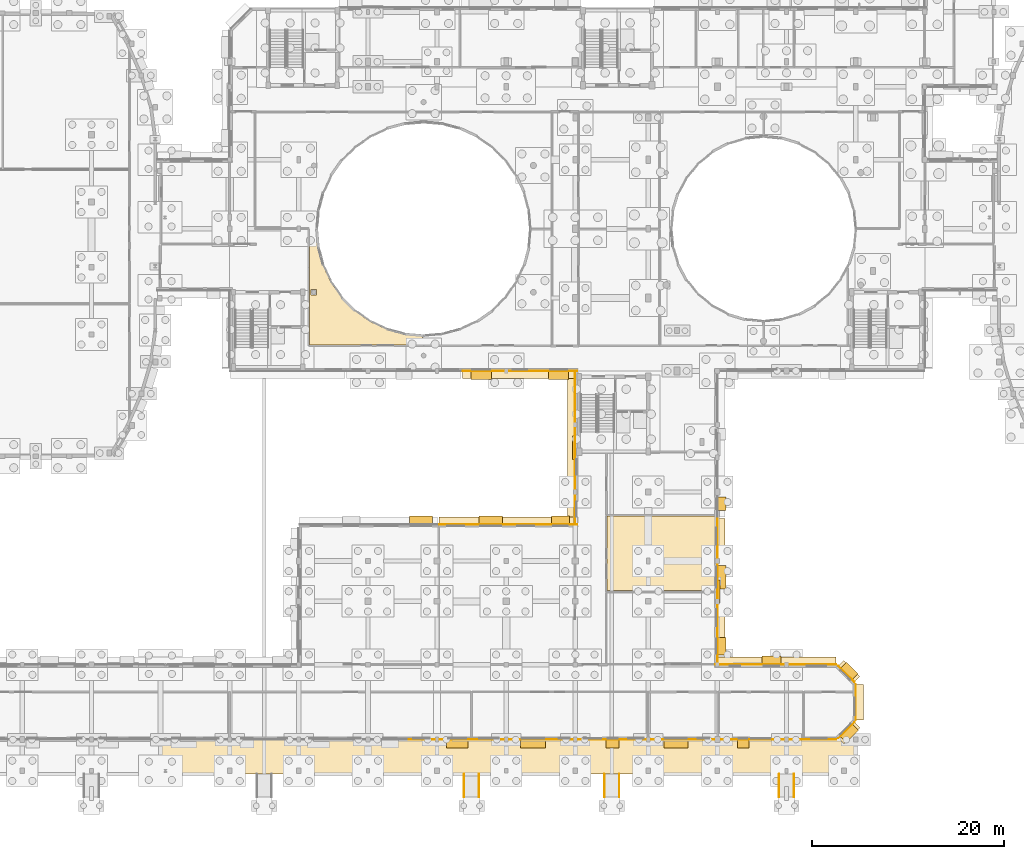
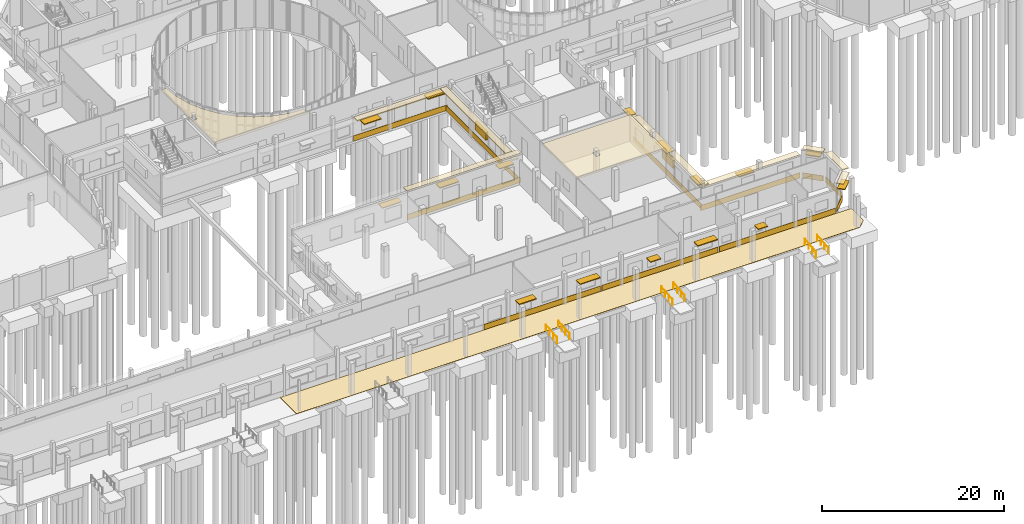
# One storey, part 82 of 93: 22 coverings, 18 shading devices, 6 railings.
"""IFC4 building model written with IfcOpenShell, lengths in metres."""

from ifc_helpers import new_model, si_unit, direction, frame, origin, origin_2d, place, context, subcontext, project, spatial, polyline, rectangle, circle, outline, extrude, material, layer, layer_set, type_object, element, save


model = new_model("IFC4")

# Units and contexts
model_context = context("Model", 3, precision=1e-05, world=origin(), true_north=direction((0.0, 1.0)))
body_context = subcontext(model_context, "Body", "Model", "MODEL_VIEW")
ifc_project = project(units=[si_unit("LENGTHUNIT", "METRE"), si_unit("AREAUNIT", "SQUARE_METRE"), si_unit("VOLUMEUNIT", "CUBIC_METRE"), si_unit("PLANEANGLEUNIT", "RADIAN"), si_unit("MASSUNIT", "GRAM", prefix="KILO")], contexts=[model_context])

# Site, building, storey
site_placement = place(None, origin())
site = spatial("IfcSite", under=ifc_project, at=site_placement, CompositionType="ELEMENT")
building_placement = place(site_placement, origin())
building = spatial("IfcBuilding", under=site, at=building_placement, Name="Kelanivale Promenade Academy", CompositionType="ELEMENT")
storey_placement = place(building_placement, origin())
storey = spatial("IfcBuildingStorey", under=building, at=storey_placement, Name="L00", CompositionType="ELEMENT", Elevation=0.0)

# Coverings
ifc_material_1 = material(Name="Warm ivory Art Deco stucco frieze band 40 mm", Category="masonry")
ifc_layer_1 = layer(ifc_material_1, 0.0400390625)
ifc_layer_set_1 = layer_set([ifc_layer_1], Name="Warm ivory Art Deco stucco frieze band 40 mm")
covering_type_1 = type_object("IfcCoveringType", Name="COV-CLD2 Warm ivory Art Deco stucco frieze ba", PredefinedType="CLADDING", material=ifc_layer_set_1)
covering_1_placement = place(storey_placement, frame((107.7060546875, 4.2939453125, 3.81982421875), z_axis=(0.0, 0.0, 1.0), x_axis=(0.707106781187, 0.707106781187, 0.0)))
element("IfcCovering", 1, at=covering_1_placement, inside=storey, type_object=covering_type_1, Name="Art Deco projecting 820 mm streamline sunshade eyebrow ledge", PredefinedType="CLADDING", context=body_context, shape_type="SweptSolid", body=[
    extrude(rectangle(XDim=2.363037109375, YDim=0.820068359375, at=origin_2d()), origin(), (0.0, 0.0, 1.0), 0.139892578125),
])
covering_2_placement = place(storey_placement, frame((107.43408203125, 4.56591796875, 0.06005859375), z_axis=(0.0, 0.0, 1.0), x_axis=(0.707106781187, 0.707106781187, 0.0)))
element("IfcCovering", 2, at=covering_2_placement, inside=storey, type_object=covering_type_1, Name="Art Deco ivory stucco sill frieze band", PredefinedType="CLADDING", context=body_context, shape_type="SweptSolid", body=[
    extrude(rectangle(XDim=2.363037109375, YDim=0.0400390625, at=origin_2d()), origin(), (0.0, 0.0, 1.0), 0.719970703125),
])
covering_3_placement = place(storey_placement, frame((108.800048828125, 7.5, 3.81982421875), z_axis=(0.0, 0.0, 1.0), x_axis=(0.0, 1.0, 0.0)))
element("IfcCovering", 3, at=covering_3_placement, inside=storey, type_object=covering_type_1, Name="Art Deco projecting 820 mm streamline sunshade eyebrow ledge", PredefinedType="CLADDING", context=body_context, shape_type="SweptSolid", body=[
    extrude(rectangle(XDim=3.72802734375, YDim=0.820068359375, at=origin_2d()), origin(), (0.0, 0.0, 1.0), 0.139892578125),
])
covering_4_placement = place(storey_placement, frame((108.4150390625, 7.5, 0.06005859375), z_axis=(0.0, 0.0, 1.0), x_axis=(0.0, 1.0, 0.0)))
element("IfcCovering", 4, at=covering_4_placement, inside=storey, type_object=covering_type_1, Name="Art Deco ivory stucco sill frieze band", PredefinedType="CLADDING", context=body_context, shape_type="SweptSolid", body=[
    extrude(rectangle(XDim=3.72802734375, YDim=0.0400390625, at=origin_2d()), origin(), (0.0, 0.0, 1.0), 0.719970703125),
])
covering_5_placement = place(storey_placement, frame((107.7060546875, 10.7060546875, 3.81982421875), z_axis=(0.0, 0.0, 1.0), x_axis=(-0.707106781187, 0.707106781187, 0.0)))
element("IfcCovering", 5, at=covering_5_placement, inside=storey, type_object=covering_type_1, Name="Art Deco projecting 820 mm streamline sunshade eyebrow ledge", PredefinedType="CLADDING", context=body_context, shape_type="SweptSolid", body=[
    extrude(rectangle(XDim=2.363037109375, YDim=0.820068359375, at=origin_2d()), origin(), (0.0, 0.0, 1.0), 0.139892578125),
])
covering_6_placement = place(storey_placement, frame((107.43408203125, 10.43408203125, 0.06005859375), z_axis=(0.0, 0.0, 1.0), x_axis=(-0.707106781187, 0.707106781187, 0.0)))
element("IfcCovering", 6, at=covering_6_placement, inside=storey, type_object=covering_type_1, Name="Art Deco ivory stucco sill frieze band", PredefinedType="CLADDING", context=body_context, shape_type="SweptSolid", body=[
    extrude(rectangle(XDim=2.363037109375, YDim=0.0400390625, at=origin_2d()), origin(), (0.0, 0.0, 1.0), 0.719970703125),
])
covering_7_placement = place(storey_placement, frame((100.08203125, 11.800048828125, 3.044921875), z_axis=(0.0, 0.0, 1.0), x_axis=(-1.0, 0.0, 0.0)))
element("IfcCovering", 7, at=covering_7_placement, inside=storey, type_object=covering_type_1, Name="Art Deco projecting 820 mm streamline sunshade eyebrow ledge", PredefinedType="CLADDING", context=body_context, shape_type="SweptSolid", body=[
    extrude(rectangle(XDim=12.56396484375, YDim=0.820068359375, at=origin_2d()), origin(), (0.0, 0.0, 1.0), 0.139892578125),
])
covering_8_placement = place(storey_placement, frame((100.08203125, 11.4150390625, 0.06005859375), z_axis=(0.0, 0.0, 1.0), x_axis=(-1.0, 0.0, 0.0)))
element("IfcCovering", 8, at=covering_8_placement, inside=storey, type_object=covering_type_1, Name="Art Deco ivory stucco sill frieze band", PredefinedType="CLADDING", context=body_context, shape_type="SweptSolid", body=[
    extrude(rectangle(XDim=12.56396484375, YDim=0.0400390625, at=origin_2d()), origin(), (0.0, 0.0, 1.0), 0.719970703125),
])
covering_9_placement = place(storey_placement, frame((94.39990234375, 19.050048828125, 3.21484375), z_axis=(0.0, 0.0, 1.0), x_axis=(0.0, 1.0, 0.0)))
element("IfcCovering", 9, at=covering_9_placement, inside=storey, type_object=covering_type_1, Name="Art Deco projecting 820 mm streamline sunshade eyebrow ledge", PredefinedType="CLADDING", context=body_context, shape_type="SweptSolid", body=[
    extrude(rectangle(XDim=15.139892578125, YDim=0.820068359375, at=origin_2d()), origin(), (0.0, 0.0, 1.0), 0.139892578125),
])
covering_10_placement = place(storey_placement, frame((94.014892578125, 19.050048828125, 0.06005859375), z_axis=(0.0, 0.0, 1.0), x_axis=(0.0, 1.0, 0.0)))
element("IfcCovering", 10, at=covering_10_placement, inside=storey, type_object=covering_type_1, Name="Art Deco ivory stucco sill frieze band", PredefinedType="CLADDING", context=body_context, shape_type="SweptSolid", body=[
    extrude(rectangle(XDim=15.139892578125, YDim=0.0400390625, at=origin_2d()), origin(), (0.0, 0.0, 1.0), 0.719970703125),
])
covering_11_placement = place(storey_placement, frame((73.43408203125, 41.60009765625, 3.1650390625), z_axis=(0.0, 0.0, 1.0), x_axis=(1.0, 0.0, 0.0)))
element("IfcCovering", 11, at=covering_11_placement, inside=storey, type_object=covering_type_1, Name="Art Deco projecting 820 mm streamline sunshade eyebrow ledge", PredefinedType="CLADDING", context=body_context, shape_type="SweptSolid", body=[
    extrude(rectangle(XDim=11.93310546875, YDim=0.820068359375, at=origin_2d()), origin(), (0.0, 0.0, 1.0), 0.139892578125),
])
covering_12_placement = place(storey_placement, frame((73.43408203125, 41.985107421875, 0.06005859375), z_axis=(0.0, 0.0, 1.0), x_axis=(1.0, 0.0, 0.0)))
element("IfcCovering", 12, at=covering_12_placement, inside=storey, type_object=covering_type_1, Name="Art Deco ivory stucco sill frieze band", PredefinedType="CLADDING", context=body_context, shape_type="SweptSolid", body=[
    extrude(rectangle(XDim=11.93310546875, YDim=0.0400390625, at=origin_2d()), origin(), (0.0, 0.0, 1.0), 0.719970703125),
])
covering_13_placement = place(storey_placement, frame((78.800048828125, 34.0, 3.21484375), z_axis=(0.0, 0.0, 1.0), x_axis=(0.0, -1.0, 0.0)))
element("IfcCovering", 13, at=covering_13_placement, inside=storey, type_object=covering_type_1, Name="Art Deco projecting 820 mm streamline sunshade eyebrow ledge", PredefinedType="CLADDING", context=body_context, shape_type="SweptSolid", body=[
    extrude(rectangle(XDim=15.840087890625, YDim=0.820068359375, at=origin_2d()), origin(), (0.0, 0.0, 1.0), 0.139892578125),
])
covering_14_placement = place(storey_placement, frame((79.18505859375, 34.0, 0.06005859375), z_axis=(0.0, 0.0, 1.0), x_axis=(0.0, -1.0, 0.0)))
element("IfcCovering", 14, at=covering_14_placement, inside=storey, type_object=covering_type_1, Name="Art Deco ivory stucco sill frieze band", PredefinedType="CLADDING", context=body_context, shape_type="SweptSolid", body=[
    extrude(rectangle(XDim=15.840087890625, YDim=0.0400390625, at=origin_2d()), origin(), (0.0, 0.0, 1.0), 0.719970703125),
])
covering_15_placement = place(storey_placement, frame((72.2099609375, 26.39990234375, 3.81982421875), z_axis=(0.0, 0.0, 1.0), x_axis=(-1.0, 0.0, 0.0)))
element("IfcCovering", 15, at=covering_15_placement, inside=storey, type_object=covering_type_1, Name="Art Deco projecting 820 mm streamline sunshade eyebrow ledge", PredefinedType="CLADDING", context=body_context, shape_type="SweptSolid", body=[
    extrude(rectangle(XDim=14.3798828125, YDim=0.820068359375, at=origin_2d()), origin(), (0.0, 0.0, 1.0), 0.139892578125),
])
covering_16_placement = place(storey_placement, frame((72.2099609375, 26.014892578125, 0.06005859375), z_axis=(0.0, 0.0, 1.0), x_axis=(-1.0, 0.0, 0.0)))
element("IfcCovering", 16, at=covering_16_placement, inside=storey, type_object=covering_type_1, Name="Art Deco ivory stucco sill frieze band", PredefinedType="CLADDING", context=body_context, shape_type="SweptSolid", body=[
    extrude(rectangle(XDim=14.3798828125, YDim=0.0400390625, at=origin_2d()), origin(), (0.0, 0.0, 1.0), 0.719970703125),
])
for number, where, z_axis, x_axis, name in (
    (17, (69.20703125, 3.594970703125, 0.06005859375), (0.0, 0.0, 1.0), (1.0, 0.0, 0.0), "Art Deco ivory stucco sill frieze band"),
    (18, (84.10009765625, 3.594970703125, 0.06005859375), (0.0, 0.0, 1.0), (1.0, 0.0, 0.0), "Art Deco ivory stucco sill frieze band"),
    (19, (98.992919921875, 3.594970703125, 0.06005859375), (0.0, 0.0, 1.0), (1.0, 0.0, 0.0), "Art Deco ivory stucco sill frieze band"),
):
    element("IfcCovering", number, at=place(storey_placement, frame(where, z_axis=z_axis, x_axis=x_axis)), inside=storey, type_object=covering_type_1, Name=name, PredefinedType="CLADDING", context=body_context, shape_type="SweptSolid", body=[
        extrude(rectangle(XDim=14.73291015625, YDim=0.0400390625, at=origin_2d()), origin(), (0.0, 0.0, 1.0), 0.719970703125),
    ])
ifc_material_2 = material(Name="Acoustic mineral-fibre ceiling tile 25 mm", Category="gypsum")
ifc_layer_2 = layer(ifc_material_2, 0.02490234375)
ifc_layer_set_2 = layer_set([ifc_layer_2], Name="Acoustic mineral-fibre ceiling tile 25 mm")
covering_type_2 = type_object("IfcCoveringType", Name="COV-CLG1 Acoustic mineral-fibre ceiling tile ", PredefinedType="CEILING", material=ifc_layer_set_2)
covering_17_placement = place(storey_placement, frame((0.0, 0.0, 3.550048828125)))
element("IfcCovering", 20, at=covering_17_placement, inside=storey, type_object=covering_type_2, Name="Bursar Administration Office acoustic suspended ceiling", PredefinedType="CEILING", context=body_context, shape_type="SweptSolid", body=[
    extrude(outline(polyline([(93.85009765625, 19.110107421875), (93.85009765625, 21.864990234375), (93.7548828125, 21.864990234375), (93.7509765625, 21.864990234375), (93.7470703125, 21.865966796875), (93.742919921875, 21.866943359375), (93.739990234375, 21.867919921875), (93.736083984375, 21.8701171875), (93.73291015625, 21.8720703125), (93.72998046875, 21.8740234375), (93.72705078125, 21.876953125), (93.72412109375, 21.8798828125), (93.721923828125, 21.883056640625), (93.719970703125, 21.885986328125), (93.718017578125, 21.889892578125), (93.717041015625, 21.89306640625), (93.716064453125, 21.89697265625), (93.715087890625, 21.90087890625), (93.715087890625, 21.905029296875), (93.715087890625, 22.4951171875), (93.715087890625, 22.4990234375), (93.716064453125, 22.5029296875), (93.717041015625, 22.507080078125), (93.718017578125, 22.510009765625), (93.719970703125, 22.513916015625), (93.721923828125, 22.51708984375), (93.72412109375, 22.52001953125), (93.72705078125, 22.52294921875), (93.72998046875, 22.52587890625), (93.73291015625, 22.528076171875), (93.736083984375, 22.530029296875), (93.739990234375, 22.531982421875), (93.742919921875, 22.532958984375), (93.7470703125, 22.533935546875), (93.7509765625, 22.534912109375), (93.7548828125, 22.534912109375), (93.85009765625, 22.534912109375), (93.85009765625, 26.889892578125), (82.510009765625, 26.889892578125), (82.510009765625, 19.110107421875), (93.85009765625, 19.110107421875)]), holes=[polyline([(86.580078125, 21.81494140625), (86.575927734375, 21.81494140625), (86.572021484375, 21.81591796875), (86.568115234375, 21.81689453125), (86.56494140625, 21.818115234375), (86.56103515625, 21.820068359375), (86.55810546875, 21.822021484375), (86.554931640625, 21.823974609375), (86.552001953125, 21.826904296875), (86.549072265625, 21.830078125), (86.547119140625, 21.8330078125), (86.544921875, 21.8359375), (86.54296875, 21.840087890625), (86.5419921875, 21.843017578125), (86.541015625, 21.846923828125), (86.5400390625, 21.85107421875), (86.5400390625, 21.85498046875), (86.5400390625, 22.544921875), (86.5400390625, 22.549072265625), (86.541015625, 22.552978515625), (86.5419921875, 22.556884765625), (86.54296875, 22.56005859375), (86.544921875, 22.56396484375), (86.547119140625, 22.56689453125), (86.549072265625, 22.570068359375), (86.552001953125, 22.572998046875), (86.554931640625, 22.575927734375), (86.55810546875, 22.577880859375), (86.56103515625, 22.580078125), (86.56494140625, 22.58203125), (86.568115234375, 22.5830078125), (86.572021484375, 22.583984375), (86.575927734375, 22.5849609375), (86.580078125, 22.5849609375), (87.02001953125, 22.5849609375), (87.02392578125, 22.5849609375), (87.028076171875, 22.583984375), (87.031982421875, 22.5830078125), (87.034912109375, 22.58203125), (87.0390625, 22.580078125), (87.0419921875, 22.577880859375), (87.044921875, 22.575927734375), (87.048095703125, 22.572998046875), (87.051025390625, 22.570068359375), (87.052978515625, 22.56689453125), (87.054931640625, 22.56396484375), (87.056884765625, 22.56005859375), (87.05810546875, 22.556884765625), (87.05908203125, 22.552978515625), (87.06005859375, 22.549072265625), (87.06005859375, 22.544921875), (87.06005859375, 21.85498046875), (87.06005859375, 21.85107421875), (87.05908203125, 21.846923828125), (87.05810546875, 21.843017578125), (87.056884765625, 21.840087890625), (87.054931640625, 21.8359375), (87.052978515625, 21.8330078125), (87.051025390625, 21.830078125), (87.048095703125, 21.826904296875), (87.044921875, 21.823974609375), (87.0419921875, 21.822021484375), (87.0390625, 21.820068359375), (87.034912109375, 21.818115234375), (87.031982421875, 21.81689453125), (87.028076171875, 21.81591796875), (87.02392578125, 21.81494140625), (87.02001953125, 21.81494140625), (86.580078125, 21.81494140625)])]), origin(), (0.0, 0.0, 1.0), 0.02490234375),
])
covering_18_placement = place(storey_placement, frame((0.0, 0.0, 3.550048828125)))
element("IfcCovering", 21, at=covering_18_placement, inside=storey, type_object=covering_type_2, Name="Junior Classroom West A acoustic suspended ceiling", PredefinedType="CEILING", context=body_context, shape_type="SweptSolid", body=[
    extrude(outline(polyline([(63.2900390625, 45.658935546875), (61.48095703125, 45.81689453125), (61.47998046875, 45.81689453125), (61.469970703125, 45.818115234375), (61.4619140625, 45.820068359375), (61.455078125, 45.821044921875), (61.446044921875, 45.823974609375), (59.60302734375, 46.31689453125), (59.60107421875, 46.31689453125), (59.591064453125, 46.320068359375), (59.583984375, 46.322998046875), (59.573974609375, 46.326904296875), (59.570068359375, 46.3291015625), (57.840087890625, 47.136962890625), (57.8349609375, 47.138916015625), (57.825927734375, 47.14404296875), (57.81689453125, 47.14892578125), (57.81005859375, 47.153076171875), (56.24609375, 48.248046875), (56.239013671875, 48.25390625), (56.23095703125, 48.260986328125), (56.222900390625, 48.26806640625), (56.218994140625, 48.27099609375), (54.87109375, 49.618896484375), (54.867919921875, 49.623046875), (54.861083984375, 49.631103515625), (54.85400390625, 49.638916015625), (54.847900390625, 49.64599609375), (53.7529296875, 51.2099609375), (53.7490234375, 51.217041015625), (53.739013671875, 51.235107421875), (53.737060546875, 51.239990234375), (52.928955078125, 52.969970703125), (52.927001953125, 52.97412109375), (52.923095703125, 52.98388671875), (52.919921875, 52.990966796875), (52.9169921875, 53.0009765625), (52.9169921875, 53.0029296875), (52.424072265625, 54.845947265625), (52.4208984375, 54.85498046875), (52.419921875, 54.862060546875), (52.41796875, 54.8701171875), (52.4169921875, 54.8798828125), (52.4169921875, 54.881103515625), (52.259033203125, 56.68994140625), (51.510009765625, 56.68994140625), (51.510009765625, 44.7099609375), (63.2900390625, 44.7099609375), (63.2900390625, 45.658935546875)]), holes=[polyline([(51.722900390625, 49.9150390625), (51.718994140625, 49.9150390625), (51.715087890625, 49.916015625), (51.7109375, 49.9169921875), (51.7080078125, 49.91796875), (51.7041015625, 49.919921875), (51.700927734375, 49.922119140625), (51.697998046875, 49.924072265625), (51.695068359375, 49.927001953125), (51.69189453125, 49.929931640625), (51.68994140625, 49.93310546875), (51.68798828125, 49.93603515625), (51.68603515625, 49.93994140625), (51.68505859375, 49.943115234375), (51.68408203125, 49.947021484375), (51.68310546875, 49.950927734375), (51.68310546875, 49.955078125), (51.68310546875, 50.445068359375), (51.68310546875, 50.448974609375), (51.68408203125, 50.452880859375), (51.68505859375, 50.45703125), (51.68603515625, 50.4599609375), (51.68798828125, 50.464111328125), (51.68994140625, 50.467041015625), (51.69189453125, 50.469970703125), (51.695068359375, 50.472900390625), (51.697998046875, 50.47607421875), (51.700927734375, 50.47802734375), (51.7041015625, 50.47998046875), (51.7080078125, 50.48193359375), (51.7109375, 50.48291015625), (51.715087890625, 50.48388671875), (51.718994140625, 50.485107421875), (51.722900390625, 50.485107421875), (52.212890625, 50.485107421875), (52.217041015625, 50.485107421875), (52.220947265625, 50.48388671875), (52.22509765625, 50.48291015625), (52.22802734375, 50.48193359375), (52.23193359375, 50.47998046875), (52.235107421875, 50.47802734375), (52.238037109375, 50.47607421875), (52.240966796875, 50.472900390625), (52.243896484375, 50.469970703125), (52.24609375, 50.467041015625), (52.248046875, 50.464111328125), (52.25, 50.4599609375), (52.2509765625, 50.45703125), (52.251953125, 50.452880859375), (52.2529296875, 50.448974609375), (52.2529296875, 50.445068359375), (52.2529296875, 49.955078125), (52.2529296875, 49.950927734375), (52.251953125, 49.947021484375), (52.2509765625, 49.943115234375), (52.25, 49.93994140625), (52.248046875, 49.93603515625), (52.24609375, 49.93310546875), (52.243896484375, 49.929931640625), (52.240966796875, 49.927001953125), (52.238037109375, 49.924072265625), (52.235107421875, 49.922119140625), (52.23193359375, 49.919921875), (52.22802734375, 49.91796875), (52.22509765625, 49.9169921875), (52.220947265625, 49.916015625), (52.217041015625, 49.9150390625), (52.212890625, 49.9150390625), (51.722900390625, 49.9150390625)])]), origin(), (0.0, 0.0, 1.0), 0.02490234375),
])
ifc_material_3 = material(Name="Polished coastal terrazzo and granite colonnade paving 30 mm", Category="masonry")
ifc_layer_3 = layer(ifc_material_3, 0.030029296875)
ifc_layer_set_3 = layer_set([ifc_layer_3], Name="Polished coastal terrazzo and granite colonnade paving 30 mm")
covering_type_3 = type_object("IfcCoveringType", Name="COV-FLR2 Polished coastal terrazzo and granit", PredefinedType="FLOORING", material=ifc_layer_set_3)
covering_19_placement = place(storey_placement, origin())
element("IfcCovering", 22, at=covering_19_placement, inside=storey, type_object=covering_type_3, Name="Harbour Promenade East Colonnade polished granite-terrazzo paving", PredefinedType="FLOORING", context=body_context, shape_type="SweptSolid", body=[
    extrude(outline(polyline([(36.0, 0.0), (107.39208984375, 0.0), (108.39990234375, 1.008056640625), (108.39990234375, 3.60009765625), (36.0, 3.60009765625), (36.0, 0.0)])), origin(), (0.0, 0.0, 1.0), 0.030029296875),
])

# Railings
ifc_material_4 = material(Name="Brushed stainless steel grade 316", Category="steel")
railing_type = type_object("IfcRailingType", Name="HR-01 Pitch Handrail 900mm", PredefinedType="HANDRAIL", material=ifc_material_4)
for number, where, name in (
    (23, (67.625, -2.39990234375, -0.199951171875), "Ramp R-04 handrail L"),
    (24, (69.175048828125, -2.39990234375, -0.199951171875), "Ramp R-04 handrail R"),
    (25, (82.22509765625, -2.39990234375, -0.199951171875), "Ramp R-05 handrail L"),
    (26, (83.77490234375, -2.39990234375, -0.199951171875), "Ramp R-05 handrail R"),
    (27, (100.425048828125, -2.39990234375, -0.199951171875), "Ramp R-06 handrail L"),
    (28, (101.97509765625, -2.39990234375, -0.199951171875), "Ramp R-06 handrail R"),
):
    element("IfcRailing", number, at=place(storey_placement, frame(where)), inside=storey, type_object=railing_type, Name=name, PredefinedType="HANDRAIL", context=body_context, shape_type="SweptSolid", body=[
        extrude(circle(Radius=0.02392578125, at=origin_2d()), frame((0.0, 0.0, 0.8759765625), z_axis=(0.0, 0.996547156423, 0.083028700011), x_axis=(-1.0, 0.0, 0.0)), (0.0, 0.0, 1.0), 2.408203125),
        extrude(circle(Radius=0.02099609375, at=origin_2d()), origin(), (0.0, 0.0, 1.0), 0.851806640625),
        extrude(circle(Radius=0.02099609375, at=origin_2d()), frame((0.0, 0.800048828125, 0.066650390625)), (0.0, 0.0, 1.0), 0.851806640625),
        extrude(circle(Radius=0.02099609375, at=origin_2d()), frame((0.0, 1.599853515625, 0.13330078125)), (0.0, 0.0, 1.0), 0.851806640625),
        extrude(circle(Radius=0.02099609375, at=origin_2d()), frame((0.0, 2.39990234375, 0.199951171875)), (0.0, 0.0, 1.0), 0.851806640625),
    ])

# Shading devices
ifc_material_5 = material(Name="Precast concrete C40/50", Category="concrete")
ifc_layer_4 = layer(ifc_material_5, 0.1201171875)
ifc_layer_set_4 = layer_set([ifc_layer_4], Name="Precast concrete C40/50")
shading_device_type_1 = type_object("IfcShadingDeviceType", Name="SHD-01 Art Deco Sunshade Eyebrow 900mm", PredefinedType="USERDEFINED", material=ifc_layer_set_4)
shading_device_1_placement = place(storey_placement, frame((107.73388671875, 4.26611328125, 2.9599609375), z_axis=(0.0, 0.0, 1.0), x_axis=(0.707106781187, 0.707106781187, 0.0)))
element("IfcShadingDevice", 29, at=shading_device_1_placement, inside=storey, type_object=shading_device_type_1, Name="Art Deco 900 mm precast chajja window sunshade", ObjectType="SUNSHADE", PredefinedType="USERDEFINED", context=body_context, shape_type="SweptSolid", body=[
    extrude(rectangle(XDim=1.800048828125, YDim=0.89990234375, at=origin_2d()), origin(), (0.0, 0.0, 1.0), 0.1201171875),
])
shading_device_2_placement = place(storey_placement, frame((107.73388671875, 10.73388671875, 3.159912109375), z_axis=(0.0, 0.0, 1.0), x_axis=(-0.707106781187, 0.707106781187, 0.0)))
element("IfcShadingDevice", 30, at=shading_device_2_placement, inside=storey, type_object=shading_device_type_1, Name="Art Deco 900 mm precast chajja window sunshade", ObjectType="SUNSHADE", PredefinedType="USERDEFINED", context=body_context, shape_type="SweptSolid", body=[
    extrude(rectangle(XDim=1.699951171875, YDim=0.89990234375, at=origin_2d()), origin(), (0.0, 0.0, 1.0), 0.1201171875),
])
shading_device_3_placement = place(storey_placement, frame((99.632080078125, 11.840087890625, 2.81005859375), z_axis=(0.0, 0.0, 1.0), x_axis=(-1.0, 0.0, 0.0)))
element("IfcShadingDevice", 31, at=shading_device_3_placement, inside=storey, type_object=shading_device_type_1, Name="Art Deco 900 mm precast chajja window sunshade", ObjectType="SUNSHADE", PredefinedType="USERDEFINED", context=body_context, shape_type="SweptSolid", body=[
    extrude(rectangle(XDim=1.949951171875, YDim=0.89990234375, at=origin_2d()), origin(), (0.0, 0.0, 1.0), 0.1201171875),
])
shading_device_4_placement = place(storey_placement, frame((94.43994140625, 13.31201171875, 2.7099609375), z_axis=(0.0, 0.0, 1.0), x_axis=(0.0, 1.0, 0.0)))
element("IfcShadingDevice", 32, at=shading_device_4_placement, inside=storey, type_object=shading_device_type_1, Name="Art Deco 900 mm precast chajja window sunshade", ObjectType="SUNSHADE", PredefinedType="USERDEFINED", context=body_context, shape_type="SweptSolid", body=[
    extrude(rectangle(XDim=1.85009765625, YDim=0.89990234375, at=origin_2d()), origin(), (0.0, 0.0, 1.0), 0.1201171875),
])
shading_device_5_placement = place(storey_placement, frame((94.43994140625, 20.512939453125, 2.81005859375), z_axis=(0.0, 0.0, 1.0), x_axis=(0.0, 1.0, 0.0)))
element("IfcShadingDevice", 33, at=shading_device_5_placement, inside=storey, type_object=shading_device_type_1, Name="Art Deco 900 mm precast chajja window sunshade", ObjectType="SUNSHADE", PredefinedType="USERDEFINED", context=body_context, shape_type="SweptSolid", body=[
    extrude(rectangle(XDim=2.449951171875, YDim=0.89990234375, at=origin_2d()), origin(), (0.0, 0.0, 1.0), 0.1201171875),
])
shading_device_6_placement = place(storey_placement, frame((94.43994140625, 28.1630859375, 2.85986328125), z_axis=(0.0, 0.0, 1.0), x_axis=(0.0, 1.0, 0.0)))
element("IfcShadingDevice", 34, at=shading_device_6_placement, inside=storey, type_object=shading_device_type_1, Name="Art Deco 900 mm precast chajja window sunshade", ObjectType="SUNSHADE", PredefinedType="USERDEFINED", context=body_context, shape_type="SweptSolid", body=[
    extrude(rectangle(XDim=1.39990234375, YDim=0.89990234375, at=origin_2d()), origin(), (0.0, 0.0, 1.0), 0.1201171875),
])
shading_device_7_placement = place(storey_placement, frame((69.403076171875, 41.56005859375, 2.4599609375), z_axis=(0.0, 0.0, 1.0), x_axis=(1.0, 0.0, 0.0)))
element("IfcShadingDevice", 35, at=shading_device_7_placement, inside=storey, type_object=shading_device_type_1, Name="Art Deco 900 mm precast chajja window sunshade", ObjectType="SUNSHADE", PredefinedType="USERDEFINED", context=body_context, shape_type="SweptSolid", body=[
    extrude(rectangle(XDim=2.14990234375, YDim=0.89990234375, at=origin_2d()), origin(), (0.0, 0.0, 1.0), 0.1201171875),
])
shading_device_8_placement = place(storey_placement, frame((77.465087890625, 41.56005859375, 3.010009765625), z_axis=(0.0, 0.0, 1.0), x_axis=(1.0, 0.0, 0.0)))
element("IfcShadingDevice", 36, at=shading_device_8_placement, inside=storey, type_object=shading_device_type_1, Name="Art Deco 900 mm precast chajja window sunshade", ObjectType="SUNSHADE", PredefinedType="USERDEFINED", context=body_context, shape_type="SweptSolid", body=[
    extrude(rectangle(XDim=2.10009765625, YDim=0.89990234375, at=origin_2d()), origin(), (0.0, 0.0, 1.0), 0.1201171875),
])
shading_device_9_placement = place(storey_placement, frame((77.662109375, 26.43994140625, 2.7099609375), z_axis=(0.0, 0.0, 1.0), x_axis=(-1.0, 0.0, 0.0)))
element("IfcShadingDevice", 37, at=shading_device_9_placement, inside=storey, type_object=shading_device_type_1, Name="Art Deco 900 mm precast chajja window sunshade", ObjectType="SUNSHADE", PredefinedType="USERDEFINED", context=body_context, shape_type="SweptSolid", body=[
    extrude(rectangle(XDim=1.85009765625, YDim=0.89990234375, at=origin_2d()), origin(), (0.0, 0.0, 1.0), 0.1201171875),
])
shading_device_10_placement = place(storey_placement, frame((70.39208984375, 26.43994140625, 2.81005859375), z_axis=(0.0, 0.0, 1.0), x_axis=(-1.0, 0.0, 0.0)))
element("IfcShadingDevice", 38, at=shading_device_10_placement, inside=storey, type_object=shading_device_type_1, Name="Art Deco 900 mm precast chajja window sunshade", ObjectType="SUNSHADE", PredefinedType="USERDEFINED", context=body_context, shape_type="SweptSolid", body=[
    extrude(rectangle(XDim=2.449951171875, YDim=0.89990234375, at=origin_2d()), origin(), (0.0, 0.0, 1.0), 0.1201171875),
])
shading_device_11_placement = place(storey_placement, frame((63.123046875, 26.43994140625, 2.659912109375), z_axis=(0.0, 0.0, 1.0), x_axis=(-1.0, 0.0, 0.0)))
element("IfcShadingDevice", 39, at=shading_device_11_placement, inside=storey, type_object=shading_device_type_1, Name="Art Deco 900 mm precast chajja window sunshade", ObjectType="SUNSHADE", PredefinedType="USERDEFINED", context=body_context, shape_type="SweptSolid", body=[
    extrude(rectangle(XDim=2.39990234375, YDim=0.89990234375, at=origin_2d()), origin(), (0.0, 0.0, 1.0), 0.1201171875),
])
shading_device_12_placement = place(storey_placement, frame((66.89599609375, 3.169921875, 2.510009765625), z_axis=(0.0, 0.0, 1.0), x_axis=(1.0, 0.0, 0.0)))
element("IfcShadingDevice", 40, at=shading_device_12_placement, inside=storey, type_object=shading_device_type_1, Name="Art Deco 900 mm precast chajja window sunshade", ObjectType="SUNSHADE", PredefinedType="USERDEFINED", context=body_context, shape_type="SweptSolid", body=[
    extrude(rectangle(XDim=2.199951171875, YDim=0.89990234375, at=origin_2d()), origin(), (0.0, 0.0, 1.0), 0.1201171875),
])
shading_device_13_placement = place(storey_placement, frame((74.7919921875, 3.169921875, 2.510009765625), z_axis=(0.0, 0.0, 1.0), x_axis=(1.0, 0.0, 0.0)))
element("IfcShadingDevice", 41, at=shading_device_13_placement, inside=storey, type_object=shading_device_type_1, Name="Art Deco 900 mm precast chajja window sunshade", ObjectType="SUNSHADE", PredefinedType="USERDEFINED", context=body_context, shape_type="SweptSolid", body=[
    extrude(rectangle(XDim=2.60009765625, YDim=0.89990234375, at=origin_2d()), origin(), (0.0, 0.0, 1.0), 0.1201171875),
])
shading_device_14_placement = place(storey_placement, frame((83.089111328125, 3.169921875, 2.35986328125), z_axis=(0.0, 0.0, 1.0), x_axis=(1.0, 0.0, 0.0)))
element("IfcShadingDevice", 42, at=shading_device_14_placement, inside=storey, type_object=shading_device_type_1, Name="Art Deco 900 mm precast chajja window sunshade", ObjectType="SUNSHADE", PredefinedType="USERDEFINED", context=body_context, shape_type="SweptSolid", body=[
    extrude(rectangle(XDim=1.35009765625, YDim=0.89990234375, at=origin_2d()), origin(), (0.0, 0.0, 1.0), 0.1201171875),
])
shading_device_15_placement = place(storey_placement, frame((89.68505859375, 3.169921875, 2.409912109375), z_axis=(0.0, 0.0, 1.0), x_axis=(1.0, 0.0, 0.0)))
element("IfcShadingDevice", 43, at=shading_device_15_placement, inside=storey, type_object=shading_device_type_1, Name="Art Deco 900 mm precast chajja window sunshade", ObjectType="SUNSHADE", PredefinedType="USERDEFINED", context=body_context, shape_type="SweptSolid", body=[
    extrude(rectangle(XDim=2.5, YDim=0.89990234375, at=origin_2d()), origin(), (0.0, 0.0, 1.0), 0.1201171875),
])
shading_device_16_placement = place(storey_placement, frame((96.681884765625, 3.169921875, 1.9599609375), z_axis=(0.0, 0.0, 1.0), x_axis=(1.0, 0.0, 0.0)))
element("IfcShadingDevice", 44, at=shading_device_16_placement, inside=storey, type_object=shading_device_type_1, Name="Art Deco 900 mm precast chajja window sunshade", ObjectType="SUNSHADE", PredefinedType="USERDEFINED", context=body_context, shape_type="SweptSolid", body=[
    extrude(rectangle(XDim=1.199951171875, YDim=0.89990234375, at=origin_2d()), origin(), (0.0, 0.0, 1.0), 0.1201171875),
])
ifc_material_6 = material(Name="Bronze anodised aluminium EN AW-6063 T6", Category="aluminium")
ifc_layer_5 = layer(ifc_material_6, 0.080078125)
ifc_layer_set_5 = layer_set([ifc_layer_5], Name="Bronze anodised aluminium EN AW-6063 T6")
shading_device_type_2 = type_object("IfcShadingDeviceType", Name="SHD-02 Perforated Brise-Soleil Screen", PredefinedType="JALOUSIE", material=ifc_layer_set_5)
for number, where, z_axis, x_axis, name in (
    (45, (94.135009765625, 19.050048828125, 1.72509765625), (0.0, 0.0, 1.0), (0.0, 1.0, 0.0), "Perforated Art Deco brise-soleil louvre screen"),
    (46, (79.06494140625, 34.0, 1.72509765625), (0.0, 0.0, 1.0), (0.0, -1.0, 0.0), "Perforated Art Deco brise-soleil louvre screen"),
):
    element("IfcShadingDevice", number, at=place(storey_placement, frame(where, z_axis=z_axis, x_axis=x_axis)), inside=storey, type_object=shading_device_type_2, Name=name, PredefinedType="JALOUSIE", context=body_context, shape_type="SweptSolid", body=[
        extrude(rectangle(XDim=2.39990234375, YDim=0.280029296875, at=origin_2d()), origin(), (0.0, 0.0, 1.0), 1.050048828125),
    ])

save(model, "model.ifc")
